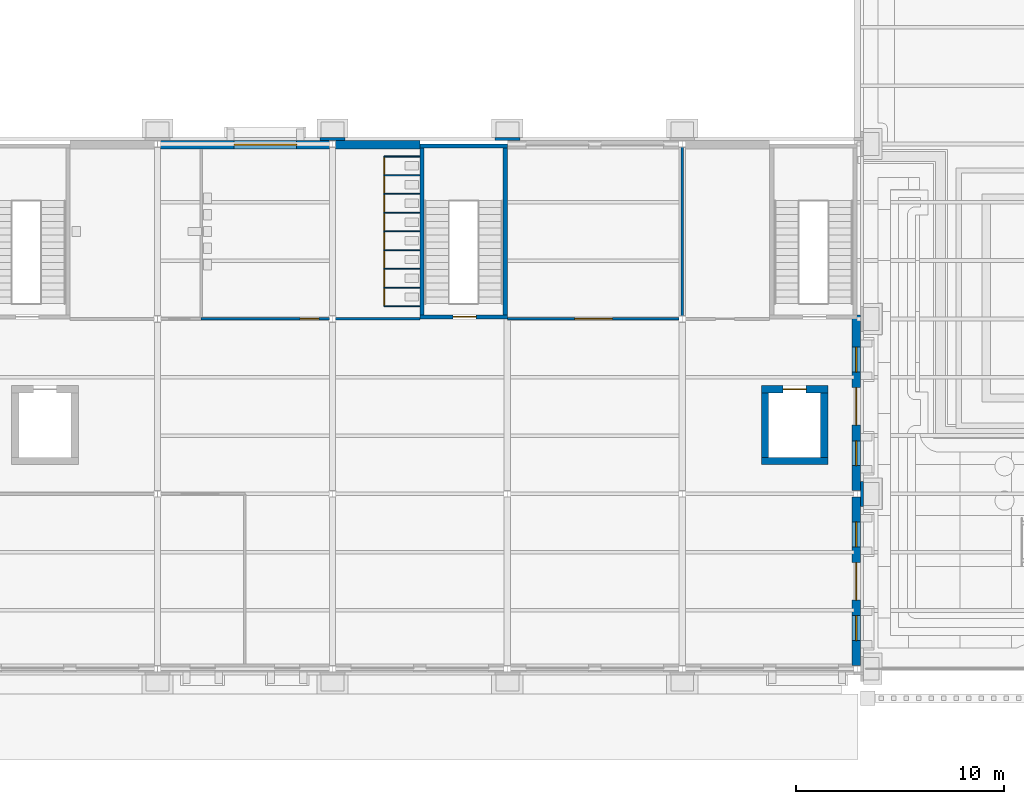
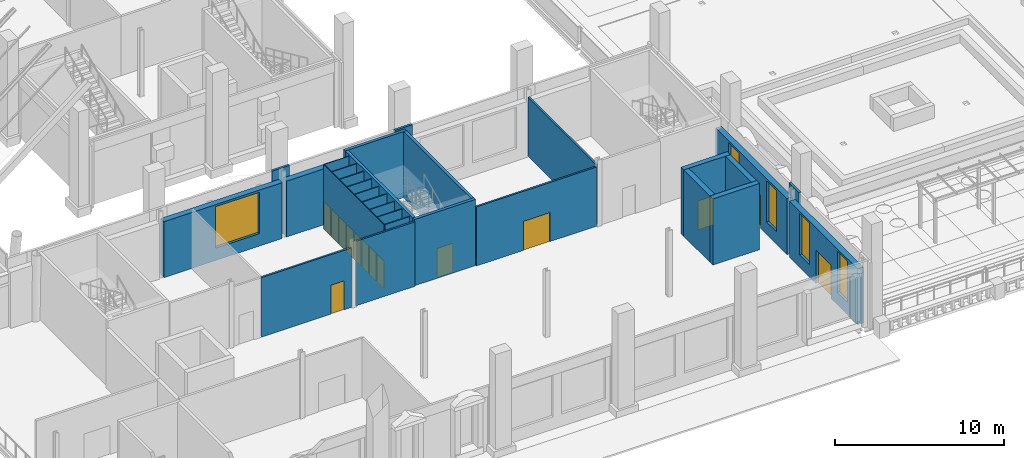
# One storey, part 52 of 76: 29 walls, 14 doors, 5 windows, 19 openings.
"""IFC4 building model written with IfcOpenShell, lengths in metres."""

from ifc_helpers import new_model, si_unit, direction, frame, frame_2d, origin, place, context, subcontext, project, spatial, rectangle, extrude, material, layer, layer_set, type_object, element, fill, save


model = new_model("IFC4")

# Units and contexts
model_context = context("Model", 3, precision=1e-05, world=origin(), true_north=direction((0.0, 1.0)))
body_context = subcontext(model_context, "Body", "Model", "MODEL_VIEW")
ifc_project = project(units=[si_unit("LENGTHUNIT", "METRE"), si_unit("AREAUNIT", "SQUARE_METRE"), si_unit("VOLUMEUNIT", "CUBIC_METRE"), si_unit("PLANEANGLEUNIT", "RADIAN"), si_unit("MASSUNIT", "GRAM", prefix="KILO")], contexts=[model_context])

# Site, building, storey
site_placement = place(None, origin())
site = spatial("IfcSite", under=ifc_project, at=site_placement, CompositionType="ELEMENT")
building_placement = place(site_placement, origin())
building = spatial("IfcBuilding", under=site, at=building_placement, Name="Sava Quay Ferry Terminal", CompositionType="ELEMENT")
storey_placement = place(building_placement, frame((0.0, 0.0, 6.0)))
storey = spatial("IfcBuildingStorey", under=building, at=storey_placement, Name="L01", CompositionType="ELEMENT", Elevation=6.0)

# Wall, openings, doors
ifc_material_1 = material(Name="High-pressure laminate panel")
ifc_layer_1 = layer(ifc_material_1, 0.050048828125)
ifc_layer_set_1 = layer_set([ifc_layer_1], Name="High-pressure laminate panel")
wall_type_1 = type_object("IfcWallType", Name="Cubicle partition 50", PredefinedType="PARTITIONING", material=ifc_layer_set_1)
wall_1_placement = place(storey_placement, frame((103.300048828125, 42.60009765625, 0.0), z_axis=(0.0, 0.0, 1.0), x_axis=(0.0, 1.0, 0.0)))
wall_1 = element("IfcWall", 1, at=wall_1_placement, inside=storey, type_object=wall_type_1, Name="Cubicle partition panel", PredefinedType="PARTITIONING", context=body_context, shape_type="SweptSolid", body=[
    extrude(rectangle(XDim=7.199951171875, YDim=0.050048828125, at=frame_2d((3.60009765625, 0.0))), origin(), (0.0, 0.0, 1.0), 4.669921875),
])
opening_1_placement = place(wall_1_placement, frame((0.050048828125, 0.0, 0.0)))
opening_1 = element("IfcOpeningElement", 2, at=opening_1_placement, cuts=wall_1, Name="Opening CD043", PredefinedType="OPENING", context=body_context, shape_type="SweptSolid", body=[
    extrude(rectangle(XDim=0.800048828125, YDim=2.0, at=frame_2d((0.39990234375, 1.0))), frame((0.0, 0.02490234375, 0.0), z_axis=(0.0, -1.0, 0.0), x_axis=(1.0, 0.0, 0.0)), (0.0, 0.0, 1.0), 0.050048828125),
])
opening_2_placement = place(wall_1_placement, frame((0.949951171875, 0.0, 0.0)))
opening_2 = element("IfcOpeningElement", 3, at=opening_2_placement, cuts=wall_1, Name="Opening CD044", PredefinedType="OPENING", context=body_context, shape_type="SweptSolid", body=[
    extrude(rectangle(XDim=0.800048828125, YDim=2.0, at=frame_2d((0.39990234375, 1.0))), frame((0.0, 0.02490234375, 0.0), z_axis=(0.0, -1.0, 0.0), x_axis=(1.0, 0.0, 0.0)), (0.0, 0.0, 1.0), 0.050048828125),
])
opening_3_placement = place(wall_1_placement, frame((1.85009765625, 0.0, 0.0)))
opening_3 = element("IfcOpeningElement", 4, at=opening_3_placement, cuts=wall_1, Name="Opening CD045", PredefinedType="OPENING", context=body_context, shape_type="SweptSolid", body=[
    extrude(rectangle(XDim=0.800048828125, YDim=2.0, at=frame_2d((0.39990234375, 1.0))), frame((0.0, 0.02490234375, 0.0), z_axis=(0.0, -1.0, 0.0), x_axis=(1.0, 0.0, 0.0)), (0.0, 0.0, 1.0), 0.050048828125),
])
opening_4_placement = place(wall_1_placement, frame((2.75, 0.0, 0.0)))
opening_4 = element("IfcOpeningElement", 5, at=opening_4_placement, cuts=wall_1, Name="Opening CD046", PredefinedType="OPENING", context=body_context, shape_type="SweptSolid", body=[
    extrude(rectangle(XDim=0.800048828125, YDim=2.0, at=frame_2d((0.39990234375, 1.0))), frame((0.0, 0.02490234375, 0.0), z_axis=(0.0, -1.0, 0.0), x_axis=(1.0, 0.0, 0.0)), (0.0, 0.0, 1.0), 0.050048828125),
])
opening_5_placement = place(wall_1_placement, frame((3.64990234375, 0.0, 0.0)))
opening_5 = element("IfcOpeningElement", 6, at=opening_5_placement, cuts=wall_1, Name="Opening CD047", PredefinedType="OPENING", context=body_context, shape_type="SweptSolid", body=[
    extrude(rectangle(XDim=0.800048828125, YDim=2.0, at=frame_2d((0.39990234375, 1.0))), frame((0.0, 0.02490234375, 0.0), z_axis=(0.0, -1.0, 0.0), x_axis=(1.0, 0.0, 0.0)), (0.0, 0.0, 1.0), 0.050048828125),
])
opening_6_placement = place(wall_1_placement, frame((4.550048828125, 0.0, 0.0)))
opening_6 = element("IfcOpeningElement", 7, at=opening_6_placement, cuts=wall_1, Name="Opening CD048", PredefinedType="OPENING", context=body_context, shape_type="SweptSolid", body=[
    extrude(rectangle(XDim=0.800048828125, YDim=2.0, at=frame_2d((0.39990234375, 1.0))), frame((0.0, 0.02490234375, 0.0), z_axis=(0.0, -1.0, 0.0), x_axis=(1.0, 0.0, 0.0)), (0.0, 0.0, 1.0), 0.050048828125),
])
opening_7_placement = place(wall_1_placement, frame((5.449951171875, 0.0, 0.0)))
opening_7 = element("IfcOpeningElement", 8, at=opening_7_placement, cuts=wall_1, Name="Opening CD049", PredefinedType="OPENING", context=body_context, shape_type="SweptSolid", body=[
    extrude(rectangle(XDim=0.800048828125, YDim=2.0, at=frame_2d((0.39990234375, 1.0))), frame((0.0, 0.02490234375, 0.0), z_axis=(0.0, -1.0, 0.0), x_axis=(1.0, 0.0, 0.0)), (0.0, 0.0, 1.0), 0.050048828125),
])
opening_8_placement = place(wall_1_placement, frame((6.35009765625, 0.0, 0.0)))
opening_8 = element("IfcOpeningElement", 9, at=opening_8_placement, cuts=wall_1, Name="Opening CD050", PredefinedType="OPENING", context=body_context, shape_type="SweptSolid", body=[
    extrude(rectangle(XDim=0.800048828125, YDim=2.0, at=frame_2d((0.39990234375, 1.0))), frame((0.0, 0.02490234375, 0.0), z_axis=(0.0, -1.0, 0.0), x_axis=(1.0, 0.0, 0.0)), (0.0, 0.0, 1.0), 0.050048828125),
])
ifc_material_2 = material(Name="Laminate door set")
door_type_1 = type_object("IfcDoorType", Name="Cubicle door 800 x 2000", OperationType="NOTDEFINED", PredefinedType="DOOR", material=ifc_material_2)
door_1_placement = place(opening_1_placement, origin())
door_1 = element("IfcDoor", 10, at=door_1_placement, inside=storey, type_object=door_type_1, Name="Cubicle door", OperationType="SINGLE_SWING_RIGHT", OverallHeight=2.0, OverallWidth=0.800048828125, PredefinedType="DOOR", context=body_context, shape_type="SweptSolid", body=[
    extrude(rectangle(XDim=0.800048828125, YDim=2.0, at=frame_2d((0.39990234375, 1.0))), frame((0.0, 0.02490234375, 0.0), z_axis=(0.0, -1.0, 0.0), x_axis=(1.0, 0.0, 0.0)), (0.0, 0.0, 1.0), 0.049560546875),
])
fill(opening_1, door_1)
door_2_placement = place(opening_2_placement, origin())
door_2 = element("IfcDoor", 11, at=door_2_placement, inside=storey, type_object=door_type_1, Name="Cubicle door", OperationType="SINGLE_SWING_LEFT", OverallHeight=2.0, OverallWidth=0.800048828125, PredefinedType="DOOR", context=body_context, shape_type="SweptSolid", body=[
    extrude(rectangle(XDim=0.800048828125, YDim=2.0, at=frame_2d((0.39990234375, 1.0))), frame((0.0, 0.02490234375, 0.0), z_axis=(0.0, -1.0, 0.0), x_axis=(1.0, 0.0, 0.0)), (0.0, 0.0, 1.0), 0.049560546875),
])
fill(opening_2, door_2)
door_3_placement = place(opening_3_placement, origin())
door_3 = element("IfcDoor", 12, at=door_3_placement, inside=storey, type_object=door_type_1, Name="Cubicle door", OperationType="SINGLE_SWING_RIGHT", OverallHeight=2.0, OverallWidth=0.800048828125, PredefinedType="DOOR", context=body_context, shape_type="SweptSolid", body=[
    extrude(rectangle(XDim=0.800048828125, YDim=2.0, at=frame_2d((0.39990234375, 1.0))), frame((0.0, 0.02490234375, 0.0), z_axis=(0.0, -1.0, 0.0), x_axis=(1.0, 0.0, 0.0)), (0.0, 0.0, 1.0), 0.049560546875),
])
fill(opening_3, door_3)
door_4_placement = place(opening_4_placement, origin())
door_4 = element("IfcDoor", 13, at=door_4_placement, inside=storey, type_object=door_type_1, Name="Cubicle door", OperationType="SINGLE_SWING_LEFT", OverallHeight=2.0, OverallWidth=0.800048828125, PredefinedType="DOOR", context=body_context, shape_type="SweptSolid", body=[
    extrude(rectangle(XDim=0.800048828125, YDim=2.0, at=frame_2d((0.39990234375, 1.0))), frame((0.0, 0.02490234375, 0.0), z_axis=(0.0, -1.0, 0.0), x_axis=(1.0, 0.0, 0.0)), (0.0, 0.0, 1.0), 0.049560546875),
])
fill(opening_4, door_4)
door_5_placement = place(opening_5_placement, origin())
door_5 = element("IfcDoor", 14, at=door_5_placement, inside=storey, type_object=door_type_1, Name="Cubicle door", OperationType="SINGLE_SWING_RIGHT", OverallHeight=2.0, OverallWidth=0.800048828125, PredefinedType="DOOR", context=body_context, shape_type="SweptSolid", body=[
    extrude(rectangle(XDim=0.800048828125, YDim=2.0, at=frame_2d((0.39990234375, 1.0))), frame((0.0, 0.02490234375, 0.0), z_axis=(0.0, -1.0, 0.0), x_axis=(1.0, 0.0, 0.0)), (0.0, 0.0, 1.0), 0.049560546875),
])
fill(opening_5, door_5)
door_6_placement = place(opening_6_placement, origin())
door_6 = element("IfcDoor", 15, at=door_6_placement, inside=storey, type_object=door_type_1, Name="Cubicle door", OperationType="SINGLE_SWING_LEFT", OverallHeight=2.0, OverallWidth=0.800048828125, PredefinedType="DOOR", context=body_context, shape_type="SweptSolid", body=[
    extrude(rectangle(XDim=0.800048828125, YDim=2.0, at=frame_2d((0.39990234375, 1.0))), frame((0.0, 0.02490234375, 0.0), z_axis=(0.0, -1.0, 0.0), x_axis=(1.0, 0.0, 0.0)), (0.0, 0.0, 1.0), 0.049560546875),
])
fill(opening_6, door_6)
door_7_placement = place(opening_7_placement, origin())
door_7 = element("IfcDoor", 16, at=door_7_placement, inside=storey, type_object=door_type_1, Name="Cubicle door", OperationType="SINGLE_SWING_RIGHT", OverallHeight=2.0, OverallWidth=0.800048828125, PredefinedType="DOOR", context=body_context, shape_type="SweptSolid", body=[
    extrude(rectangle(XDim=0.800048828125, YDim=2.0, at=frame_2d((0.39990234375, 1.0))), frame((0.0, 0.02490234375, 0.0), z_axis=(0.0, -1.0, 0.0), x_axis=(1.0, 0.0, 0.0)), (0.0, 0.0, 1.0), 0.049560546875),
])
fill(opening_7, door_7)
door_8_placement = place(opening_8_placement, origin())
door_8 = element("IfcDoor", 17, at=door_8_placement, inside=storey, type_object=door_type_1, Name="Cubicle door", OperationType="SINGLE_SWING_LEFT", OverallHeight=2.0, OverallWidth=0.800048828125, PredefinedType="DOOR", context=body_context, shape_type="SweptSolid", body=[
    extrude(rectangle(XDim=0.800048828125, YDim=2.0, at=frame_2d((0.39990234375, 1.0))), frame((0.0, 0.02490234375, 0.0), z_axis=(0.0, -1.0, 0.0), x_axis=(1.0, 0.0, 0.0)), (0.0, 0.0, 1.0), 0.049560546875),
])
fill(opening_8, door_8)

# Walls
for number, where, z_axis, x_axis, name in (
    (18, (105.0, 42.60009765625, 0.0), (0.0, 0.0, 1.0), (-1.0, 0.0, 0.0), "Cubicle partition panel"),
    (19, (105.0, 43.5, 0.0), (0.0, 0.0, 1.0), (-1.0, 0.0, 0.0), "Cubicle partition panel"),
    (20, (105.0, 44.39990234375, 0.0), (0.0, 0.0, 1.0), (-1.0, 0.0, 0.0), "Cubicle partition panel"),
    (21, (105.0, 45.300048828125, 0.0), (0.0, 0.0, 1.0), (-1.0, 0.0, 0.0), "Cubicle partition panel"),
    (22, (105.0, 46.199951171875, 0.0), (0.0, 0.0, 1.0), (-1.0, 0.0, 0.0), "Cubicle partition panel"),
    (23, (105.0, 47.10009765625, 0.0), (0.0, 0.0, 1.0), (-1.0, 0.0, 0.0), "Cubicle partition panel"),
    (24, (105.0, 48.0, 0.0), (0.0, 0.0, 1.0), (-1.0, 0.0, 0.0), "Cubicle partition panel"),
    (25, (105.0, 48.89990234375, 0.0), (0.0, 0.0, 1.0), (-1.0, 0.0, 0.0), "Cubicle partition panel"),
    (26, (105.0, 49.800048828125, 0.0), (0.0, 0.0, 1.0), (-1.0, 0.0, 0.0), "Cubicle partition panel"),
):
    element("IfcWall", number, at=place(storey_placement, frame(where, z_axis=z_axis, x_axis=x_axis)), inside=storey, type_object=wall_type_1, Name=name, PredefinedType="PARTITIONING", context=body_context, shape_type="SweptSolid", body=[
        extrude(rectangle(XDim=1.699951171875, YDim=0.050048828125, at=frame_2d((0.85009765625, 0.0))), origin(), (0.0, 0.0, 1.0), 4.669921875),
    ])
ifc_material_3 = material(Name="Limestone Mutalj", Category="masonry")
ifc_layer_2 = layer(ifc_material_3, 0.14990234375)
ifc_layer_set_2 = layer_set([ifc_layer_2], Name="Limestone Mutalj")
wall_type_2 = type_object("IfcWallType", Name="Pier cladding 150", PredefinedType="SOLIDWALL", material=ifc_layer_set_2)
for number, where, z_axis, x_axis, name in (
    (27, (100.199951171875, 50.635009765625, 0.0), (0.0, 0.0, 1.0), (1.0, 0.0, 0.0), "Pier P-N grid 100.8"),
    (28, (108.60009765625, 50.635009765625, 0.0), (0.0, 0.0, 1.0), (1.0, 0.0, 0.0), "Pier P-N grid 109.2"),
    (29, (126.22509765625, 33.0, 0.0), (0.0, 0.0, 1.0), (0.0, 1.0, 0.0), "Pier P-E grid 33.6"),
):
    element("IfcWall", number, at=place(storey_placement, frame(where, z_axis=z_axis, x_axis=x_axis)), inside=storey, type_object=wall_type_2, Name=name, PredefinedType="SOLIDWALL", context=body_context, shape_type="SweptSolid", body=[
        extrude(rectangle(XDim=1.199951171875, YDim=0.14990234375, at=frame_2d((0.60009765625, 0.0))), origin(), (0.0, 0.0, 1.0), 4.800048828125),
    ])

# Wall, opening, door
ifc_material_4 = material(Name="Concrete C35/45", Category="concrete")
ifc_layer_3 = layer(ifc_material_4, 0.199951171875)
ifc_layer_set_3 = layer_set([ifc_layer_3], Name="Concrete C35/45")
wall_type_3 = type_object("IfcWallType", Name="RC core wall 200", PredefinedType="SHEAR", material=ifc_layer_set_3)
wall_2_placement = place(storey_placement, frame((105.0, 42.10009765625, 0.0), z_axis=(0.0, 0.0, 1.0), x_axis=(1.0, 0.0, 0.0)))
wall_2 = element("IfcWall", 30, at=wall_2_placement, inside=storey, type_object=wall_type_3, Name="Core wall ST-P3 S L01", PredefinedType="SHEAR", context=body_context, shape_type="SweptSolid", body=[
    extrude(rectangle(XDim=4.199951171875, YDim=0.199951171875, at=frame_2d((2.10009765625, 0.0))), origin(), (0.0, 0.0, 1.0), 4.800048828125),
])
opening_9_placement = place(wall_2_placement, frame((1.60009765625, 0.0, 0.0)))
opening_9 = element("IfcOpeningElement", 31, at=opening_9_placement, cuts=wall_2, Name="Opening DS0111", PredefinedType="OPENING", context=body_context, shape_type="SweptSolid", body=[
    extrude(rectangle(XDim=1.10009765625, YDim=2.10009765625, at=frame_2d((0.550048828125, 1.050048828125))), frame((0.0, 0.10009765625, 0.0), z_axis=(0.0, -1.0, 0.0), x_axis=(1.0, 0.0, 0.0)), (0.0, 0.0, 1.0), 0.199951171875),
])
ifc_material_5 = material(Name="Steel fire door set", Category="steel")
door_type_2 = type_object("IfcDoorType", Name="Stair fire door 1100 x 2100", OperationType="NOTDEFINED", PredefinedType="DOOR", material=ifc_material_5)
door_9_placement = place(opening_9_placement, origin())
door_9 = element("IfcDoor", 32, at=door_9_placement, inside=storey, type_object=door_type_2, Name="Door DS0111", OperationType="SINGLE_SWING_RIGHT", OverallHeight=2.10009765625, OverallWidth=1.10009765625, PredefinedType="DOOR", context=body_context, shape_type="SweptSolid", body=[
    extrude(rectangle(XDim=1.10009765625, YDim=2.10009765625, at=frame_2d((0.550048828125, 1.050048828125))), frame((0.0, 0.02490234375, 0.0), z_axis=(0.0, -1.0, 0.0), x_axis=(1.0, 0.0, 0.0)), (0.0, 0.0, 1.0), 0.050048828125),
])
fill(opening_9, door_9)

# Walls
wall_3_placement = place(storey_placement, frame((105.0, 50.300048828125, 0.0), z_axis=(0.0, 0.0, 1.0), x_axis=(1.0, 0.0, 0.0)))
element("IfcWall", 33, at=wall_3_placement, inside=storey, type_object=wall_type_3, Name="Core wall ST-P3 N L01", PredefinedType="SHEAR", context=body_context, shape_type="SweptSolid", body=[
    extrude(rectangle(XDim=4.199951171875, YDim=0.199951171875, at=frame_2d((2.10009765625, 0.0))), origin(), (0.0, 0.0, 1.0), 4.800048828125),
])
for number, where, z_axis, x_axis, name in (
    (34, (105.10009765625, 42.199951171875, 0.0), (0.0, 0.0, 1.0), (0.0, 1.0, 0.0), "Core wall ST-P3 W L01"),
    (35, (109.10009765625, 42.199951171875, 0.0), (0.0, 0.0, 1.0), (0.0, 1.0, 0.0), "Core wall ST-P3 E L01"),
):
    element("IfcWall", number, at=place(storey_placement, frame(where, z_axis=z_axis, x_axis=x_axis)), inside=storey, type_object=wall_type_3, Name=name, PredefinedType="SHEAR", context=body_context, shape_type="SweptSolid", body=[
        extrude(rectangle(XDim=8.0, YDim=0.199951171875, at=frame_2d((4.0, 0.0))), origin(), (0.0, 0.0, 1.0), 4.800048828125),
    ])
ifc_material_6 = material(Name="Concrete C35/45", Category="concrete")
ifc_layer_4 = layer(ifc_material_6, 0.35009765625)
ifc_layer_set_4 = layer_set([ifc_layer_4], Name="Concrete C35/45")
wall_type_4 = type_object("IfcWallType", Name="RC core wall 350", PredefinedType="SHEAR", material=ifc_layer_set_4)
wall_4_placement = place(storey_placement, frame((121.39990234375, 35.175048828125, 0.0), z_axis=(0.0, 0.0, 1.0), x_axis=(1.0, 0.0, 0.0)))
element("IfcWall", 36, at=wall_4_placement, inside=storey, type_object=wall_type_4, Name="Core wall LF-P2 S L01", PredefinedType="SHEAR", context=body_context, shape_type="SweptSolid", body=[
    extrude(rectangle(XDim=3.2001953125, YDim=0.35009765625, at=frame_2d((1.60009765625, 0.0))), origin(), (0.0, 0.0, 1.0), 4.800048828125),
])

# Wall, opening, door
wall_5_placement = place(storey_placement, frame((121.39990234375, 38.625, 0.0), z_axis=(0.0, 0.0, 1.0), x_axis=(1.0, 0.0, 0.0)))
wall_5 = element("IfcWall", 37, at=wall_5_placement, inside=storey, type_object=wall_type_4, Name="Core wall LF-P2 N L01", PredefinedType="SHEAR", context=body_context, shape_type="SweptSolid", body=[
    extrude(rectangle(XDim=3.2001953125, YDim=0.35009765625, at=frame_2d((1.60009765625, 0.0))), origin(), (0.0, 0.0, 1.0), 4.800048828125),
])
opening_10_placement = place(wall_5_placement, frame((1.050048828125, 0.0, 0.0)))
opening_10 = element("IfcOpeningElement", 38, at=opening_10_placement, cuts=wall_5, Name="Opening LD0106", PredefinedType="OPENING", context=body_context, shape_type="SweptSolid", body=[
    extrude(rectangle(XDim=1.10009765625, YDim=2.10009765625, at=frame_2d((0.550048828125, 1.050048828125))), frame((0.0, 0.175048828125, 0.0), z_axis=(0.0, -1.0, 0.0), x_axis=(1.0, 0.0, 0.0)), (0.0, 0.0, 1.0), 0.35009765625),
])
ifc_material_7 = material(Name="Stainless steel", Category="steel")
door_type_3 = type_object("IfcDoorType", Name="Lift landing door 1100 x 2100", OperationType="NOTDEFINED", PredefinedType="DOOR", material=ifc_material_7)
door_10_placement = place(opening_10_placement, origin())
door_10 = element("IfcDoor", 39, at=door_10_placement, inside=storey, type_object=door_type_3, Name="Door LD0106", OperationType="SLIDING_TO_RIGHT", OverallHeight=2.10009765625, OverallWidth=1.10009765625, PredefinedType="DOOR", context=body_context, shape_type="SweptSolid", body=[
    extrude(rectangle(XDim=1.10009765625, YDim=2.10009765625, at=frame_2d((0.550048828125, 1.050048828125))), frame((0.0, 0.02490234375, 0.0), z_axis=(0.0, -1.0, 0.0), x_axis=(1.0, 0.0, 0.0)), (0.0, 0.0, 1.0), 0.050048828125),
])
fill(opening_10, door_10)

# Walls
for number, where, z_axis, x_axis, name in (
    (40, (121.574951171875, 35.35009765625, 0.0), (0.0, 0.0, 1.0), (0.0, 1.0, 0.0), "Core wall LF-P2 W L01"),
    (41, (124.425048828125, 35.35009765625, 0.0), (0.0, 0.0, 1.0), (0.0, 1.0, 0.0), "Core wall LF-P2 E L01"),
):
    element("IfcWall", number, at=place(storey_placement, frame(where, z_axis=z_axis, x_axis=x_axis)), inside=storey, type_object=wall_type_4, Name=name, PredefinedType="SHEAR", context=body_context, shape_type="SweptSolid", body=[
        extrude(rectangle(XDim=3.099853515625, YDim=0.35009765625, at=frame_2d((1.5498046875, 0.0))), origin(), (0.0, 0.0, 1.0), 4.800048828125),
    ])

# Wall, opening, door
ifc_material_8 = material(Name="Plasterboard on steel studs", Category="steel")
ifc_layer_5 = layer(ifc_material_8, 0.125)
ifc_layer_set_5 = layer_set([ifc_layer_5], Name="Plasterboard on steel studs")
wall_type_5 = type_object("IfcWallType", Name="Room partition, plasterboard on steel studs 125", PredefinedType="PARTITIONING", material=ifc_layer_set_5)
wall_6_placement = place(storey_placement, frame((109.199951171875, 42.0, 0.0), z_axis=(0.0, 0.0, 1.0), x_axis=(1.0, 0.0, 0.0)))
wall_6 = element("IfcWall", 42, at=wall_6_placement, inside=storey, type_object=wall_type_5, Name="Room partition, plasterboard on steel studs 125", PredefinedType="PARTITIONING", context=body_context, shape_type="SweptSolid", body=[
    extrude(rectangle(XDim=8.25, YDim=0.125, at=frame_2d((4.125, 0.0))), origin(), (0.0, 0.0, 1.0), 4.280029296875),
])
opening_11_placement = place(wall_6_placement, frame((3.25, 0.0, 0.0)))
opening_11 = element("IfcOpeningElement", 43, at=opening_11_placement, cuts=wall_6, Name="Opening D0115", PredefinedType="OPENING", context=body_context, shape_type="SweptSolid", body=[
    extrude(rectangle(XDim=1.800048828125, YDim=2.10009765625, at=frame_2d((0.89990234375, 1.050048828125))), frame((0.0, 0.0625, 0.0), z_axis=(0.0, -1.0, 0.0), x_axis=(1.0, 0.0, 0.0)), (0.0, 0.0, 1.0), 0.125),
])
ifc_material_9 = material(Name="Timber door set", Category="wood")
door_type_4 = type_object("IfcDoorType", Name="Double door 1800 x 2100", OperationType="NOTDEFINED", PredefinedType="DOOR", material=ifc_material_9)
door_11_placement = place(opening_11_placement, origin())
door_11 = element("IfcDoor", 44, at=door_11_placement, inside=storey, type_object=door_type_4, Name="Door D0115", OperationType="DOUBLE_DOOR_DOUBLE_SWING", OverallHeight=2.10009765625, OverallWidth=1.800048828125, PredefinedType="DOOR", context=body_context, shape_type="SweptSolid", body=[
    extrude(rectangle(XDim=1.800048828125, YDim=2.10009765625, at=frame_2d((0.89990234375, 1.050048828125))), frame((0.0, 0.02490234375, 0.0), z_axis=(0.0, -1.0, 0.0), x_axis=(1.0, 0.0, 0.0)), (0.0, 0.0, 1.0), 0.050048828125),
])
fill(opening_11, door_11)

# Wall
wall_7_placement = place(storey_placement, frame((117.60009765625, 42.14990234375, 0.0), z_axis=(0.0, 0.0, 1.0), x_axis=(0.0, 1.0, 0.0)))
element("IfcWall", 45, at=wall_7_placement, inside=storey, type_object=wall_type_5, Name="Room partition, plasterboard on steel studs 125", PredefinedType="PARTITIONING", context=body_context, shape_type="SweptSolid", body=[
    extrude(rectangle(XDim=8.10009765625, YDim=0.125, at=frame_2d((4.050048828125, 0.0))), origin(), (0.0, 0.0, 1.0), 4.280029296875),
])

# Wall, opening, window
ifc_material_10 = material(Name="Sandstone Bela Voda", Category="masonry")
ifc_layer_6 = layer(ifc_material_10, 0.39990234375)
ifc_layer_set_6 = layer_set([ifc_layer_6], Name="Sandstone Bela Voda")
wall_type_6 = type_object("IfcWallType", Name="Sandstone ashlar infill 400", PredefinedType="SOLIDWALL", material=ifc_layer_set_6)
wall_8_placement = place(storey_placement, frame((92.550048828125, 50.360107421875, 0.0), z_axis=(0.0, 0.0, 1.0), x_axis=(1.0, 0.0, 0.0)))
wall_8 = element("IfcWall", 46, at=wall_8_placement, inside=storey, type_object=wall_type_6, Name="External wall P-N", PredefinedType="SOLIDWALL", context=body_context, shape_type="SweptSolid", body=[
    extrude(rectangle(XDim=8.099853515625, YDim=0.39990234375, at=frame_2d((4.0498046875, 0.0))), origin(), (0.0, 0.0, 1.0), 4.050048828125),
])
opening_12_placement = place(wall_8_placement, frame((3.53125, 0.0, 0.89990234375)))
opening_12 = element("IfcOpeningElement", 47, at=opening_12_placement, cuts=wall_8, Name="Opening W-B", PredefinedType="OPENING", context=body_context, shape_type="SweptSolid", body=[
    extrude(rectangle(XDim=3.0, YDim=3.0, at=frame_2d((1.5, 1.5))), frame((0.0, 0.199951171875, 0.0), z_axis=(0.0, -1.0, 0.0), x_axis=(1.0, 0.0, 0.0)), (0.0, 0.0, 1.0), 0.39990234375),
])
ifc_material_11 = material(Name="Aluminium bronze anodised frame, glazing double low-e Ug 1.1", Category="aluminium")
window_type_1 = type_object("IfcWindowType", Name="Upper ordered window 3000x3000", PartitioningType="SINGLE_PANEL", PredefinedType="WINDOW", material=ifc_material_11)
window_1_placement = place(opening_12_placement, origin())
window_1 = element("IfcWindow", 48, at=window_1_placement, inside=storey, type_object=window_type_1, Name="Window W-B", OverallHeight=3.0, OverallWidth=3.0, PartitioningType="SINGLE_PANEL", PredefinedType="WINDOW", context=body_context, shape_type="SweptSolid", body=[
    extrude(rectangle(XDim=3.0, YDim=3.0, at=frame_2d((1.5, 1.5))), frame((0.0, 0.030029296875, 0.0), z_axis=(0.0, -1.0, 0.0), x_axis=(1.0, 0.0, 0.0)), (0.0, 0.0, 1.0), 0.06005859375),
])
fill(opening_12, window_1)

# Wall
wall_9_placement = place(storey_placement, frame((100.949951171875, 50.360107421875, 0.0), z_axis=(0.0, 0.0, 1.0), x_axis=(1.0, 0.0, 0.0)))
element("IfcWall", 49, at=wall_9_placement, inside=storey, type_object=wall_type_6, Name="External wall P-N", PredefinedType="SOLIDWALL", context=body_context, shape_type="SweptSolid", body=[
    extrude(rectangle(XDim=4.050048828125, YDim=0.39990234375, at=frame_2d((2.02490234375, 0.0))), origin(), (0.0, 0.0, 1.0), 4.050048828125),
])

# Wall, openings, windows, door
wall_10_placement = place(storey_placement, frame((125.949951171875, 25.35009765625, 0.0), z_axis=(0.0, 0.0, 1.0), x_axis=(0.0, 1.0, 0.0)))
wall_10 = element("IfcWall", 50, at=wall_10_placement, inside=storey, type_object=wall_type_6, Name="External wall P-E", PredefinedType="SOLIDWALL", context=body_context, shape_type="SweptSolid", body=[
    extrude(rectangle(XDim=8.099853515625, YDim=0.39990234375, at=frame_2d((4.0498046875, 0.0))), origin(), (0.0, 0.0, 1.0), 4.050048828125),
])
opening_13_placement = place(wall_10_placement, frame((3.14990234375, 0.0, 0.0)))
opening_13 = element("IfcOpeningElement", 51, at=opening_13_placement, cuts=wall_10, Name="Opening DTV1", PredefinedType="OPENING", context=body_context, shape_type="SweptSolid", body=[
    extrude(rectangle(XDim=1.800048828125, YDim=2.39990234375, at=frame_2d((0.89990234375, 1.199951171875))), frame((0.0, 0.199951171875, 0.0), z_axis=(0.0, -1.0, 0.0), x_axis=(1.0, 0.0, 0.0)), (0.0, 0.0, 1.0), 0.39990234375),
])
opening_14_placement = place(wall_10_placement, frame((1.199951171875, 0.0, 0.89990234375)))
opening_14 = element("IfcOpeningElement", 52, at=opening_14_placement, cuts=wall_10, Name="Opening W-E1", PredefinedType="OPENING", context=body_context, shape_type="SweptSolid", body=[
    extrude(rectangle(XDim=1.199951171875, YDim=3.0, at=frame_2d((0.60009765625, 1.5))), frame((0.0, 0.199951171875, 0.0), z_axis=(0.0, -1.0, 0.0), x_axis=(1.0, 0.0, 0.0)), (0.0, 0.0, 1.0), 0.39990234375),
])
opening_15_placement = place(wall_10_placement, frame((5.699951171875, 0.0, 0.89990234375)))
opening_15 = element("IfcOpeningElement", 53, at=opening_15_placement, cuts=wall_10, Name="Opening W-E1", PredefinedType="OPENING", context=body_context, shape_type="SweptSolid", body=[
    extrude(rectangle(XDim=1.199951171875, YDim=3.0, at=frame_2d((0.60009765625, 1.5))), frame((0.0, 0.199951171875, 0.0), z_axis=(0.0, -1.0, 0.0), x_axis=(1.0, 0.0, 0.0)), (0.0, 0.0, 1.0), 0.39990234375),
])
ifc_material_12 = material(Name="Aluminium bronze anodised frame, glazing double low-e Ug 1.1", Category="aluminium")
window_type_2 = type_object("IfcWindowType", Name="Entrance sidelight 1200x3000", PartitioningType="SINGLE_PANEL", PredefinedType="WINDOW", material=ifc_material_12)
window_2_placement = place(opening_14_placement, origin())
window_2 = element("IfcWindow", 54, at=window_2_placement, inside=storey, type_object=window_type_2, Name="Window W-E1", OverallHeight=3.0, OverallWidth=1.199951171875, PartitioningType="SINGLE_PANEL", PredefinedType="WINDOW", context=body_context, shape_type="SweptSolid", body=[
    extrude(rectangle(XDim=1.199951171875, YDim=3.0, at=frame_2d((0.60009765625, 1.5))), frame((0.0, 0.030029296875, 0.0), z_axis=(0.0, -1.0, 0.0), x_axis=(1.0, 0.0, 0.0)), (0.0, 0.0, 1.0), 0.06005859375),
])
fill(opening_14, window_2)
window_3_placement = place(opening_15_placement, origin())
window_3 = element("IfcWindow", 55, at=window_3_placement, inside=storey, type_object=window_type_2, Name="Window W-E1", OverallHeight=3.0, OverallWidth=1.199951171875, PartitioningType="SINGLE_PANEL", PredefinedType="WINDOW", context=body_context, shape_type="SweptSolid", body=[
    extrude(rectangle(XDim=1.199951171875, YDim=3.0, at=frame_2d((0.60009765625, 1.5))), frame((0.0, 0.030029296875, 0.0), z_axis=(0.0, -1.0, 0.0), x_axis=(1.0, 0.0, 0.0)), (0.0, 0.0, 1.0), 0.06005859375),
])
fill(opening_15, window_3)
ifc_material_13 = material(Name="Aluminium bronze anodised, glazing safety laminated", Category="aluminium")
door_type_5 = type_object("IfcDoorType", Name="Exit double door 1800x2400", OperationType="DOUBLE_DOOR_SINGLE_SWING", PredefinedType="DOOR", material=ifc_material_13)
door_12_placement = place(opening_13_placement, origin())
door_12 = element("IfcDoor", 56, at=door_12_placement, inside=storey, type_object=door_type_5, Name="Door DTV1", OperationType="DOUBLE_DOOR_SINGLE_SWING", OverallHeight=2.39990234375, OverallWidth=1.800048828125, PredefinedType="DOOR", context=body_context, shape_type="SweptSolid", body=[
    extrude(rectangle(XDim=1.800048828125, YDim=2.39990234375, at=frame_2d((0.89990234375, 1.199951171875))), frame((0.0, 0.02490234375, 0.0), z_axis=(0.0, -1.0, 0.0), x_axis=(1.0, 0.0, 0.0)), (0.0, 0.0, 1.0), 0.050048828125),
])
fill(opening_13, door_12)

wall_11_placement = place(storey_placement, frame((125.949951171875, 33.75, 0.0), z_axis=(0.0, 0.0, 1.0), x_axis=(0.0, 1.0, 0.0)))
wall_11 = element("IfcWall", 57, at=wall_11_placement, inside=storey, type_object=wall_type_6, Name="External wall P-E", PredefinedType="SOLIDWALL", context=body_context, shape_type="SweptSolid", body=[
    extrude(rectangle(XDim=8.449951171875, YDim=0.39990234375, at=frame_2d((4.22509765625, 0.0))), origin(), (0.0, 0.0, 1.0), 4.050048828125),
])
opening_16_placement = place(wall_11_placement, frame((3.14990234375, 0.0, 0.0)))
opening_16 = element("IfcOpeningElement", 58, at=opening_16_placement, cuts=wall_11, Name="Opening DTV2", PredefinedType="OPENING", context=body_context, shape_type="SweptSolid", body=[
    extrude(rectangle(XDim=1.800048828125, YDim=2.39990234375, at=frame_2d((0.89990234375, 1.199951171875))), frame((0.0, 0.199951171875, 0.0), z_axis=(0.0, -1.0, 0.0), x_axis=(1.0, 0.0, 0.0)), (0.0, 0.0, 1.0), 0.39990234375),
])
opening_17_placement = place(wall_11_placement, frame((1.199951171875, 0.0, 0.89990234375)))
opening_17 = element("IfcOpeningElement", 59, at=opening_17_placement, cuts=wall_11, Name="Opening W-E1", PredefinedType="OPENING", context=body_context, shape_type="SweptSolid", body=[
    extrude(rectangle(XDim=1.199951171875, YDim=3.0, at=frame_2d((0.60009765625, 1.5))), frame((0.0, 0.199951171875, 0.0), z_axis=(0.0, -1.0, 0.0), x_axis=(1.0, 0.0, 0.0)), (0.0, 0.0, 1.0), 0.39990234375),
])
opening_18_placement = place(wall_11_placement, frame((5.699951171875, 0.0, 0.89990234375)))
opening_18 = element("IfcOpeningElement", 60, at=opening_18_placement, cuts=wall_11, Name="Opening W-E1", PredefinedType="OPENING", context=body_context, shape_type="SweptSolid", body=[
    extrude(rectangle(XDim=1.199951171875, YDim=3.0, at=frame_2d((0.60009765625, 1.5))), frame((0.0, 0.199951171875, 0.0), z_axis=(0.0, -1.0, 0.0), x_axis=(1.0, 0.0, 0.0)), (0.0, 0.0, 1.0), 0.39990234375),
])
window_4_placement = place(opening_17_placement, origin())
window_4 = element("IfcWindow", 61, at=window_4_placement, inside=storey, type_object=window_type_2, Name="Window W-E1", OverallHeight=3.0, OverallWidth=1.199951171875, PartitioningType="SINGLE_PANEL", PredefinedType="WINDOW", context=body_context, shape_type="SweptSolid", body=[
    extrude(rectangle(XDim=1.199951171875, YDim=3.0, at=frame_2d((0.60009765625, 1.5))), frame((0.0, 0.030029296875, 0.0), z_axis=(0.0, -1.0, 0.0), x_axis=(1.0, 0.0, 0.0)), (0.0, 0.0, 1.0), 0.06005859375),
])
fill(opening_17, window_4)
window_5_placement = place(opening_18_placement, origin())
window_5 = element("IfcWindow", 62, at=window_5_placement, inside=storey, type_object=window_type_2, Name="Window W-E1", OverallHeight=3.0, OverallWidth=1.199951171875, PartitioningType="SINGLE_PANEL", PredefinedType="WINDOW", context=body_context, shape_type="SweptSolid", body=[
    extrude(rectangle(XDim=1.199951171875, YDim=3.0, at=frame_2d((0.60009765625, 1.5))), frame((0.0, 0.030029296875, 0.0), z_axis=(0.0, -1.0, 0.0), x_axis=(1.0, 0.0, 0.0)), (0.0, 0.0, 1.0), 0.06005859375),
])
fill(opening_18, window_5)
door_13_placement = place(opening_16_placement, origin())
door_13 = element("IfcDoor", 63, at=door_13_placement, inside=storey, type_object=door_type_5, Name="Door DTV2", OperationType="DOUBLE_DOOR_SINGLE_SWING", OverallHeight=2.39990234375, OverallWidth=1.800048828125, PredefinedType="DOOR", context=body_context, shape_type="SweptSolid", body=[
    extrude(rectangle(XDim=1.800048828125, YDim=2.39990234375, at=frame_2d((0.89990234375, 1.199951171875))), frame((0.0, 0.02490234375, 0.0), z_axis=(0.0, -1.0, 0.0), x_axis=(1.0, 0.0, 0.0)), (0.0, 0.0, 1.0), 0.050048828125),
])
fill(opening_16, door_13)

# Wall, opening, door
ifc_material_14 = material(Name="Moisture-resistant board on steel studs", Category="steel")
ifc_layer_7 = layer(ifc_material_14, 0.125)
ifc_layer_set_7 = layer_set([ifc_layer_7], Name="Moisture-resistant board on steel studs")
wall_type_7 = type_object("IfcWallType", Name="Toilet partition, moisture-resistant board 125", PredefinedType="PARTITIONING", material=ifc_layer_set_7)
wall_12_placement = place(storey_placement, frame((94.5, 42.0, 0.0), z_axis=(0.0, 0.0, 1.0), x_axis=(1.0, 0.0, 0.0)))
wall_12 = element("IfcWall", 64, at=wall_12_placement, inside=storey, type_object=wall_type_7, Name="Toilet partition, moisture-resistant board 125", PredefinedType="PARTITIONING", context=body_context, shape_type="SweptSolid", body=[
    extrude(rectangle(XDim=6.14990234375, YDim=0.125, at=frame_2d((3.074951171875, 0.0))), origin(), (0.0, 0.0, 1.0), 4.31005859375),
])
opening_19_placement = place(wall_12_placement, frame((4.75, 0.0, 0.0)))
opening_19 = element("IfcOpeningElement", 65, at=opening_19_placement, cuts=wall_12, Name="Opening D0114", PredefinedType="OPENING", context=body_context, shape_type="SweptSolid", body=[
    extrude(rectangle(XDim=0.89990234375, YDim=2.10009765625, at=frame_2d((0.449951171875, 1.050048828125))), frame((0.0, 0.0625, 0.0), z_axis=(0.0, -1.0, 0.0), x_axis=(1.0, 0.0, 0.0)), (0.0, 0.0, 1.0), 0.125),
])
ifc_material_15 = material(Name="Laminate door set")
door_type_6 = type_object("IfcDoorType", Name="Toilet door 900 x 2100", OperationType="NOTDEFINED", PredefinedType="DOOR", material=ifc_material_15)
door_14_placement = place(opening_19_placement, origin())
door_14 = element("IfcDoor", 66, at=door_14_placement, inside=storey, type_object=door_type_6, Name="Door D0114", OperationType="SINGLE_SWING_LEFT", OverallHeight=2.10009765625, OverallWidth=0.89990234375, PredefinedType="DOOR", context=body_context, shape_type="SweptSolid", body=[
    extrude(rectangle(XDim=0.89990234375, YDim=2.10009765625, at=frame_2d((0.449951171875, 1.050048828125))), frame((0.0, 0.02490234375, 0.0), z_axis=(0.0, -1.0, 0.0), x_axis=(1.0, 0.0, 0.0)), (0.0, 0.0, 1.0), 0.050048828125),
])
fill(opening_19, door_14)

# Wall
wall_13_placement = place(storey_placement, frame((100.949951171875, 42.0, 0.0), z_axis=(0.0, 0.0, 1.0), x_axis=(1.0, 0.0, 0.0)))
element("IfcWall", 67, at=wall_13_placement, inside=storey, type_object=wall_type_7, Name="Toilet partition, moisture-resistant board 125", PredefinedType="PARTITIONING", context=body_context, shape_type="SweptSolid", body=[
    extrude(rectangle(XDim=4.050048828125, YDim=0.125, at=frame_2d((2.02490234375, 0.0))), origin(), (0.0, 0.0, 1.0), 4.669921875),
])

save(model, "model.ifc")
